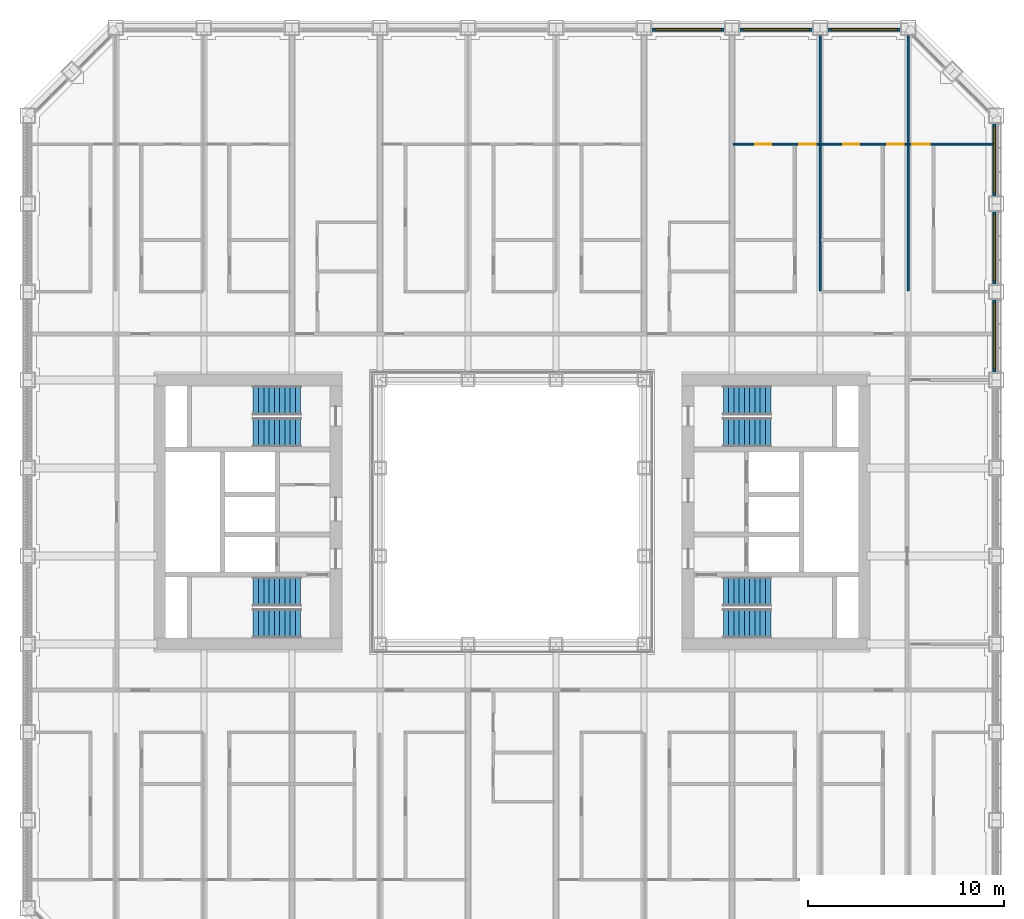
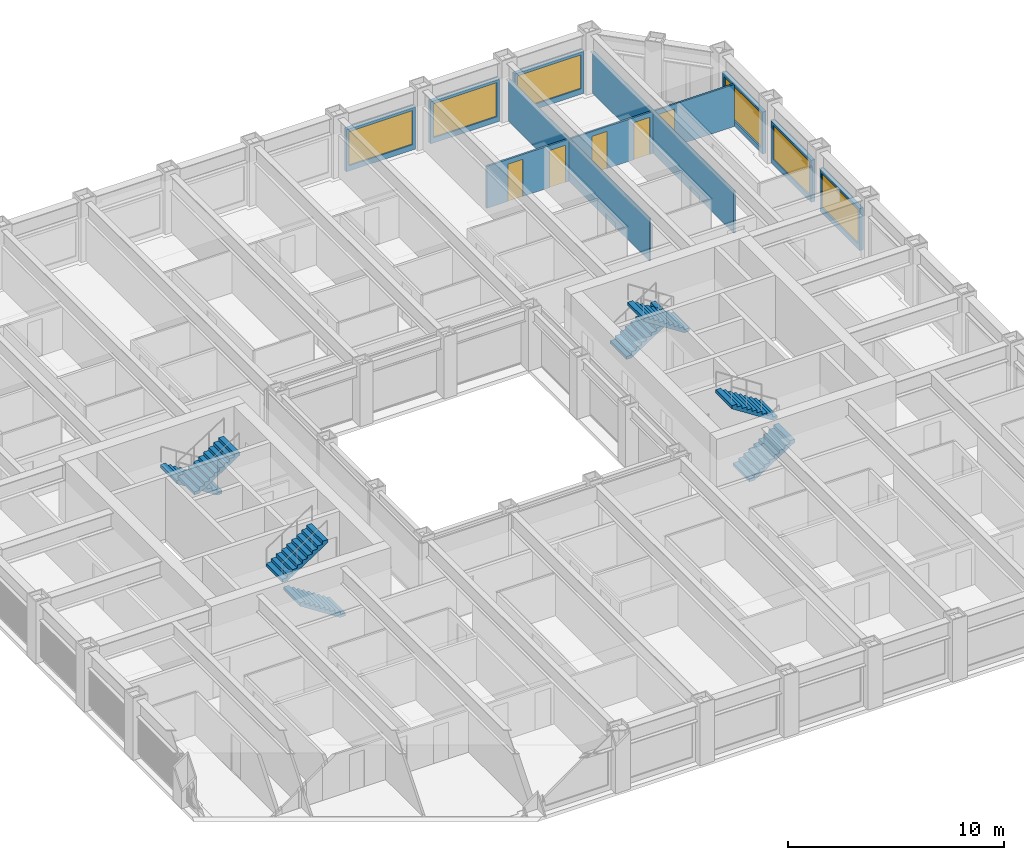
# One storey, part 15 of 20: 11 walls, 8 stair flights, 6 windows, 5 doors, 11 openings, 4 elements without a shape of their own.
"""IFC4 building model written with IfcOpenShell, lengths in metres."""

from ifc_helpers import new_model, si_unit, direction, frame, frame_2d, origin, place, context, subcontext, project, spatial, polyline, rectangle, outline, extrude, material, layer, layer_set, type_object, element, fill, aggregate, save


model = new_model("IFC4")

# Units and contexts
model_context = context("Model", 3, precision=1e-05, world=origin(), true_north=direction((0.0, 1.0)))
body_context = subcontext(model_context, "Body", "Model", "MODEL_VIEW")
ifc_project = project(units=[si_unit("LENGTHUNIT", "METRE"), si_unit("AREAUNIT", "SQUARE_METRE"), si_unit("VOLUMEUNIT", "CUBIC_METRE"), si_unit("PLANEANGLEUNIT", "RADIAN"), si_unit("MASSUNIT", "GRAM", prefix="KILO")], contexts=[model_context])

# Site, building, storey
site_placement = place(None, origin())
site = spatial("IfcSite", under=ifc_project, at=site_placement, CompositionType="ELEMENT")
building_placement = place(site_placement, origin())
building = spatial("IfcBuilding", under=site, at=building_placement, Name="Msasa Ring Tower", CompositionType="ELEMENT")
storey_placement = place(building_placement, frame((0.0, 0.0, 65.0)))
storey = spatial("IfcBuildingStorey", under=building, at=storey_placement, Name="L16", CompositionType="ELEMENT", Elevation=65.0)

# Wall, opening, window
ifc_material_1 = material(Name="Terracotta rainscreen on blockwork", Category="masonry")
ifc_layer_1 = layer(ifc_material_1, 0.199951171875)
ifc_layer_set_1 = layer_set([ifc_layer_1], Name="FW1 TERRACOTTA-LINED INFILL BAY WALL 200")
wall_type_1 = type_object("IfcWallType", Name="FW1 TERRACOTTA-LINED INFILL BAY WALL 200", PredefinedType="SOLIDWALL", material=ifc_layer_set_1)
wall_1_placement = place(storey_placement, frame((24.64990234375, 7.155029296875, 0.0), z_axis=(0.0, 0.0, 1.0), x_axis=(0.0, 1.0, 0.0)))
wall_1 = element("IfcWall", 1, at=wall_1_placement, inside=storey, type_object=wall_type_1, Name="Infill bay wall E L16 17", PredefinedType="SOLIDWALL", context=body_context, shape_type="SweptSolid", body=[
    extrude(rectangle(XDim=3.68994140625, YDim=0.199951171875, at=frame_2d((1.844970703125, 0.0))), origin(), (0.0, 0.0, 1.0), 2.37890625),
])
opening_1_placement = place(wall_1_placement, frame((0.14501953125, 0.0, 0.300048828125)))
opening_1 = element("IfcOpeningElement", 2, at=opening_1_placement, cuts=wall_1, Name="Opening WN1", PredefinedType="OPENING", context=body_context, shape_type="SweptSolid", body=[
    extrude(rectangle(XDim=3.39990234375, YDim=1.928955078125, at=frame_2d((1.699951171875, 0.96435546875))), frame((0.0, 0.10986328125, 0.0), z_axis=(0.0, -1.0, 0.0), x_axis=(1.0, 0.0, 0.0)), (0.0, 0.0, 1.0), 0.219970703125),
])
ifc_material_2 = material(Name="Aluminium frame with clear glass", Category="aluminium")
window_type = type_object("IfcWindowType", Name="WN1 RESIDENCE WINDOW 3400x1929", PartitioningType="SINGLE_PANEL", PredefinedType="WINDOW", material=ifc_material_2)
window_1_placement = place(opening_1_placement, origin())
window_1 = element("IfcWindow", 3, at=window_1_placement, inside=storey, type_object=window_type, Name="Window E L16 17", OverallHeight=1.928955078125, OverallWidth=3.39990234375, PartitioningType="SINGLE_PANEL", PredefinedType="WINDOW", context=body_context, shape_type="SweptSolid", body=[
    extrude(rectangle(XDim=3.39990234375, YDim=1.928955078125, at=frame_2d((1.699951171875, 0.96435546875))), frame((0.0, 0.030029296875, 0.0), z_axis=(0.0, -1.0, 0.0), x_axis=(1.0, 0.0, 0.0)), (0.0, 0.0, 1.0), 0.06005859375),
])
fill(opening_1, window_1)

wall_2_placement = place(storey_placement, frame((24.64990234375, 11.655029296875, 0.0), z_axis=(0.0, 0.0, 1.0), x_axis=(0.0, 1.0, 0.0)))
wall_2 = element("IfcWall", 4, at=wall_2_placement, inside=storey, type_object=wall_type_1, Name="Infill bay wall E L16 18", PredefinedType="SOLIDWALL", context=body_context, shape_type="SweptSolid", body=[
    extrude(rectangle(XDim=3.68994140625, YDim=0.199951171875, at=frame_2d((1.844970703125, 0.0))), origin(), (0.0, 0.0, 1.0), 2.37890625),
])
opening_2_placement = place(wall_2_placement, frame((0.14501953125, 0.0, 0.300048828125)))
opening_2 = element("IfcOpeningElement", 5, at=opening_2_placement, cuts=wall_2, Name="Opening WN1", PredefinedType="OPENING", context=body_context, shape_type="SweptSolid", body=[
    extrude(rectangle(XDim=3.39990234375, YDim=1.928955078125, at=frame_2d((1.699951171875, 0.96435546875))), frame((0.0, 0.10986328125, 0.0), z_axis=(0.0, -1.0, 0.0), x_axis=(1.0, 0.0, 0.0)), (0.0, 0.0, 1.0), 0.219970703125),
])
window_2_placement = place(opening_2_placement, origin())
window_2 = element("IfcWindow", 6, at=window_2_placement, inside=storey, type_object=window_type, Name="Window E L16 18", OverallHeight=1.928955078125, OverallWidth=3.39990234375, PartitioningType="SINGLE_PANEL", PredefinedType="WINDOW", context=body_context, shape_type="SweptSolid", body=[
    extrude(rectangle(XDim=3.39990234375, YDim=1.928955078125, at=frame_2d((1.699951171875, 0.96435546875))), frame((0.0, 0.030029296875, 0.0), z_axis=(0.0, -1.0, 0.0), x_axis=(1.0, 0.0, 0.0)), (0.0, 0.0, 1.0), 0.06005859375),
])
fill(opening_2, window_2)

wall_3_placement = place(storey_placement, frame((24.64990234375, 16.155029296875, 0.0), z_axis=(0.0, 0.0, 1.0), x_axis=(0.0, 1.0, 0.0)))
wall_3 = element("IfcWall", 7, at=wall_3_placement, inside=storey, type_object=wall_type_1, Name="Infill bay wall E L16 19", PredefinedType="SOLIDWALL", context=body_context, shape_type="SweptSolid", body=[
    extrude(rectangle(XDim=3.68994140625, YDim=0.199951171875, at=frame_2d((1.844970703125, 0.0))), origin(), (0.0, 0.0, 1.0), 2.37890625),
])
opening_3_placement = place(wall_3_placement, frame((0.14501953125, 0.0, 0.300048828125)))
opening_3 = element("IfcOpeningElement", 8, at=opening_3_placement, cuts=wall_3, Name="Opening WN1", PredefinedType="OPENING", context=body_context, shape_type="SweptSolid", body=[
    extrude(rectangle(XDim=3.39990234375, YDim=1.928955078125, at=frame_2d((1.699951171875, 0.96435546875))), frame((0.0, 0.10986328125, 0.0), z_axis=(0.0, -1.0, 0.0), x_axis=(1.0, 0.0, 0.0)), (0.0, 0.0, 1.0), 0.219970703125),
])
window_3_placement = place(opening_3_placement, origin())
window_3 = element("IfcWindow", 9, at=window_3_placement, inside=storey, type_object=window_type, Name="Window E L16 19", OverallHeight=1.928955078125, OverallWidth=3.39990234375, PartitioningType="SINGLE_PANEL", PredefinedType="WINDOW", context=body_context, shape_type="SweptSolid", body=[
    extrude(rectangle(XDim=3.39990234375, YDim=1.928955078125, at=frame_2d((1.699951171875, 0.96435546875))), frame((0.0, 0.030029296875, 0.0), z_axis=(0.0, -1.0, 0.0), x_axis=(1.0, 0.0, 0.0)), (0.0, 0.0, 1.0), 0.06005859375),
])
fill(opening_3, window_3)

wall_4_placement = place(storey_placement, frame((7.155029296875, 24.64990234375, 0.0), z_axis=(0.0, 0.0, 1.0), x_axis=(1.0, 0.0, 0.0)))
wall_4 = element("IfcWall", 10, at=wall_4_placement, inside=storey, type_object=wall_type_1, Name="Infill bay wall N L16 28", PredefinedType="SOLIDWALL", context=body_context, shape_type="SweptSolid", body=[
    extrude(rectangle(XDim=3.68994140625, YDim=0.199951171875, at=frame_2d((1.844970703125, 0.0))), origin(), (0.0, 0.0, 1.0), 2.37890625),
])
opening_4_placement = place(wall_4_placement, frame((0.14501953125, 0.0, 0.300048828125)))
opening_4 = element("IfcOpeningElement", 11, at=opening_4_placement, cuts=wall_4, Name="Opening WN1", PredefinedType="OPENING", context=body_context, shape_type="SweptSolid", body=[
    extrude(rectangle(XDim=3.39990234375, YDim=1.928955078125, at=frame_2d((1.699951171875, 0.96435546875))), frame((0.0, 0.10986328125, 0.0), z_axis=(0.0, -1.0, 0.0), x_axis=(1.0, 0.0, 0.0)), (0.0, 0.0, 1.0), 0.219970703125),
])
window_4_placement = place(opening_4_placement, origin())
window_4 = element("IfcWindow", 12, at=window_4_placement, inside=storey, type_object=window_type, Name="Window N L16 28", OverallHeight=1.928955078125, OverallWidth=3.39990234375, PartitioningType="SINGLE_PANEL", PredefinedType="WINDOW", context=body_context, shape_type="SweptSolid", body=[
    extrude(rectangle(XDim=3.39990234375, YDim=1.928955078125, at=frame_2d((1.699951171875, 0.96435546875))), frame((0.0, 0.030029296875, 0.0), z_axis=(0.0, -1.0, 0.0), x_axis=(1.0, 0.0, 0.0)), (0.0, 0.0, 1.0), 0.06005859375),
])
fill(opening_4, window_4)

wall_5_placement = place(storey_placement, frame((11.655029296875, 24.64990234375, 0.0), z_axis=(0.0, 0.0, 1.0), x_axis=(1.0, 0.0, 0.0)))
wall_5 = element("IfcWall", 13, at=wall_5_placement, inside=storey, type_object=wall_type_1, Name="Infill bay wall N L16 29", PredefinedType="SOLIDWALL", context=body_context, shape_type="SweptSolid", body=[
    extrude(rectangle(XDim=3.68994140625, YDim=0.199951171875, at=frame_2d((1.844970703125, 0.0))), origin(), (0.0, 0.0, 1.0), 2.37890625),
])
opening_5_placement = place(wall_5_placement, frame((0.14501953125, 0.0, 0.300048828125)))
opening_5 = element("IfcOpeningElement", 14, at=opening_5_placement, cuts=wall_5, Name="Opening WN1", PredefinedType="OPENING", context=body_context, shape_type="SweptSolid", body=[
    extrude(rectangle(XDim=3.39990234375, YDim=1.928955078125, at=frame_2d((1.699951171875, 0.96435546875))), frame((0.0, 0.10986328125, 0.0), z_axis=(0.0, -1.0, 0.0), x_axis=(1.0, 0.0, 0.0)), (0.0, 0.0, 1.0), 0.219970703125),
])
window_5_placement = place(opening_5_placement, origin())
window_5 = element("IfcWindow", 15, at=window_5_placement, inside=storey, type_object=window_type, Name="Window N L16 29", OverallHeight=1.928955078125, OverallWidth=3.39990234375, PartitioningType="SINGLE_PANEL", PredefinedType="WINDOW", context=body_context, shape_type="SweptSolid", body=[
    extrude(rectangle(XDim=3.39990234375, YDim=1.928955078125, at=frame_2d((1.699951171875, 0.96435546875))), frame((0.0, 0.030029296875, 0.0), z_axis=(0.0, -1.0, 0.0), x_axis=(1.0, 0.0, 0.0)), (0.0, 0.0, 1.0), 0.06005859375),
])
fill(opening_5, window_5)

wall_6_placement = place(storey_placement, frame((16.155029296875, 24.64990234375, 0.0), z_axis=(0.0, 0.0, 1.0), x_axis=(1.0, 0.0, 0.0)))
wall_6 = element("IfcWall", 16, at=wall_6_placement, inside=storey, type_object=wall_type_1, Name="Infill bay wall N L16 30", PredefinedType="SOLIDWALL", context=body_context, shape_type="SweptSolid", body=[
    extrude(rectangle(XDim=3.68994140625, YDim=0.199951171875, at=frame_2d((1.844970703125, 0.0))), origin(), (0.0, 0.0, 1.0), 2.37890625),
])
opening_6_placement = place(wall_6_placement, frame((0.14501953125, 0.0, 0.300048828125)))
opening_6 = element("IfcOpeningElement", 17, at=opening_6_placement, cuts=wall_6, Name="Opening WN1", PredefinedType="OPENING", context=body_context, shape_type="SweptSolid", body=[
    extrude(rectangle(XDim=3.39990234375, YDim=1.928955078125, at=frame_2d((1.699951171875, 0.96435546875))), frame((0.0, 0.10986328125, 0.0), z_axis=(0.0, -1.0, 0.0), x_axis=(1.0, 0.0, 0.0)), (0.0, 0.0, 1.0), 0.219970703125),
])
window_6_placement = place(opening_6_placement, origin())
window_6 = element("IfcWindow", 18, at=window_6_placement, inside=storey, type_object=window_type, Name="Window N L16 30", OverallHeight=1.928955078125, OverallWidth=3.39990234375, PartitioningType="SINGLE_PANEL", PredefinedType="WINDOW", context=body_context, shape_type="SweptSolid", body=[
    extrude(rectangle(XDim=3.39990234375, YDim=1.928955078125, at=frame_2d((1.699951171875, 0.96435546875))), frame((0.0, 0.030029296875, 0.0), z_axis=(0.0, -1.0, 0.0), x_axis=(1.0, 0.0, 0.0)), (0.0, 0.0, 1.0), 0.06005859375),
])
fill(opening_6, window_6)

# Wall, opening, door
ifc_material_3 = material(Name="Gypsum board on steel studs", Category="steel")
ifc_layer_2 = layer(ifc_material_3, 0.10009765625)
ifc_layer_set_2 = layer_set([ifc_layer_2], Name="PT2 STUD PARTITION 100")
wall_type_2 = type_object("IfcWallType", Name="PT2 STUD PARTITION 100", PredefinedType="PARTITIONING", material=ifc_layer_set_2)
wall_7_placement = place(storey_placement, frame((20.300048828125, 18.800048828125, 0.0), z_axis=(0.0, 0.0, 1.0), x_axis=(1.0, 0.0, 0.0)))
wall_7 = element("IfcWall", 19, at=wall_7_placement, inside=storey, type_object=wall_type_2, Name="Partition L16-UN04SY0", PredefinedType="PARTITIONING", context=body_context, shape_type="SweptSolid", body=[
    extrude(rectangle(XDim=4.25, YDim=0.10009765625, at=frame_2d((2.125, 0.0))), origin(), (0.0, 0.0, 1.0), 2.373291015625),
])
opening_7_placement = place(wall_7_placement, frame((0.14990234375, 0.0, 0.0)))
opening_7 = element("IfcOpeningElement", 20, at=opening_7_placement, cuts=wall_7, Name="Opening RD-015", PredefinedType="OPENING", context=body_context, shape_type="SweptSolid", body=[
    extrude(rectangle(XDim=0.89990234375, YDim=2.10009765625, at=frame_2d((0.449951171875, 1.050048828125))), frame((0.0, 0.06005859375, 0.0), z_axis=(0.0, -1.0, 0.0), x_axis=(1.0, 0.0, 0.0)), (0.0, 0.0, 1.0), 0.1201171875),
])
ifc_material_4 = material(Name="Timber door leaf in a steel frame", Category="steel")
door_type_1 = type_object("IfcDoorType", Name="D22 INTERNAL HALL DOOR 900x2100", OperationType="SINGLE_SWING_LEFT", PredefinedType="DOOR", material=ifc_material_4)
door_1_placement = place(opening_7_placement, origin())
door_1 = element("IfcDoor", 21, at=door_1_placement, inside=storey, type_object=door_type_1, Name="Door L16-UN04L", OperationType="SINGLE_SWING_LEFT", OverallHeight=2.10009765625, OverallWidth=0.89990234375, PredefinedType="DOOR", context=body_context, shape_type="SweptSolid", body=[
    extrude(rectangle(XDim=0.89990234375, YDim=2.10009765625, at=frame_2d((0.449951171875, 1.050048828125))), frame((0.0, 0.02490234375, 0.0), z_axis=(0.0, -1.0, 0.0), x_axis=(1.0, 0.0, 0.0)), (0.0, 0.0, 1.0), 0.050048828125),
])
fill(opening_7, door_1)

# Wall
wall_8_placement = place(storey_placement, frame((20.25, 11.300048828125, 0.0), z_axis=(0.0, 0.0, 1.0), x_axis=(0.0, 1.0, 0.0)))
element("IfcWall", 22, at=wall_8_placement, inside=storey, type_object=wall_type_2, Name="Partition L16-UN04P1", PredefinedType="PARTITIONING", context=body_context, shape_type="SweptSolid", body=[
    extrude(rectangle(XDim=13.050048828125, YDim=0.10009765625, at=frame_2d((6.52490234375, 0.0))), origin(), (0.0, 0.0, 1.0), 2.373291015625),
])

# Wall, openings, doors
wall_9_placement = place(storey_placement, frame((15.800048828125, 18.800048828125, 0.0), z_axis=(0.0, 0.0, 1.0), x_axis=(1.0, 0.0, 0.0)))
wall_9 = element("IfcWall", 23, at=wall_9_placement, inside=storey, type_object=wall_type_2, Name="Partition L16-UN04SY1", PredefinedType="PARTITIONING", context=body_context, shape_type="SweptSolid", body=[
    extrude(rectangle(XDim=4.39990234375, YDim=0.10009765625, at=frame_2d((2.199951171875, 0.0))), origin(), (0.0, 0.0, 1.0), 2.373291015625),
])
opening_8_placement = place(wall_9_placement, frame((3.375, 0.0, 0.0)))
opening_8 = element("IfcOpeningElement", 24, at=opening_8_placement, cuts=wall_9, Name="Opening RD-014", PredefinedType="OPENING", context=body_context, shape_type="SweptSolid", body=[
    extrude(rectangle(XDim=0.85009765625, YDim=2.10009765625, at=frame_2d((0.425048828125, 1.050048828125))), frame((0.0, 0.06005859375, 0.0), z_axis=(0.0, -1.0, 0.0), x_axis=(1.0, 0.0, 0.0)), (0.0, 0.0, 1.0), 0.1201171875),
])
opening_9_placement = place(wall_9_placement, frame((1.139892578125, 0.0, 0.0)))
opening_9 = element("IfcOpeningElement", 25, at=opening_9_placement, cuts=wall_9, Name="Opening RD-013", PredefinedType="OPENING", context=body_context, shape_type="SweptSolid", body=[
    extrude(rectangle(XDim=0.800048828125, YDim=2.10009765625, at=frame_2d((0.39990234375, 1.050048828125))), frame((0.0, 0.06005859375, 0.0), z_axis=(0.0, -1.0, 0.0), x_axis=(1.0, 0.0, 0.0)), (0.0, 0.0, 1.0), 0.1201171875),
])
ifc_material_5 = material(Name="Timber door leaf in a steel frame", Category="steel")
door_type_2 = type_object("IfcDoorType", Name="D14 BEDROOM DOOR 850x2100", OperationType="SINGLE_SWING_LEFT", PredefinedType="DOOR", material=ifc_material_5)
door_2_placement = place(opening_8_placement, origin())
door_2 = element("IfcDoor", 26, at=door_2_placement, inside=storey, type_object=door_type_2, Name="Door L16-UN04R1", OperationType="SINGLE_SWING_RIGHT", OverallHeight=2.10009765625, OverallWidth=0.85009765625, PredefinedType="DOOR", context=body_context, shape_type="SweptSolid", body=[
    extrude(rectangle(XDim=0.85009765625, YDim=2.10009765625, at=frame_2d((0.425048828125, 1.050048828125))), frame((0.0, 0.02490234375, 0.0), z_axis=(0.0, -1.0, 0.0), x_axis=(1.0, 0.0, 0.0)), (0.0, 0.0, 1.0), 0.050048828125),
])
fill(opening_8, door_2)
ifc_material_6 = material(Name="Timber door leaf in a steel frame", Category="steel")
door_type_3 = type_object("IfcDoorType", Name="D60 DRESSING ROOM DOOR 800x2100", OperationType="SINGLE_SWING_LEFT", PredefinedType="DOOR", material=ifc_material_6)
door_3_placement = place(opening_9_placement, origin())
door_3 = element("IfcDoor", 27, at=door_3_placement, inside=storey, type_object=door_type_3, Name="Door L16-UN04W1", OperationType="SINGLE_SWING_LEFT", OverallHeight=2.10009765625, OverallWidth=0.800048828125, PredefinedType="DOOR", context=body_context, shape_type="SweptSolid", body=[
    extrude(rectangle(XDim=0.800048828125, YDim=2.10009765625, at=frame_2d((0.39990234375, 1.050048828125))), frame((0.0, 0.02490234375, 0.0), z_axis=(0.0, -1.0, 0.0), x_axis=(1.0, 0.0, 0.0)), (0.0, 0.0, 1.0), 0.050048828125),
])
fill(opening_9, door_3)

# Wall
wall_10_placement = place(storey_placement, frame((15.75, 11.300048828125, 0.0), z_axis=(0.0, 0.0, 1.0), x_axis=(0.0, 1.0, 0.0)))
element("IfcWall", 28, at=wall_10_placement, inside=storey, type_object=wall_type_2, Name="Partition L16-UN04P2", PredefinedType="PARTITIONING", context=body_context, shape_type="SweptSolid", body=[
    extrude(rectangle(XDim=13.050048828125, YDim=0.10009765625, at=frame_2d((6.52490234375, 0.0))), origin(), (0.0, 0.0, 1.0), 2.373291015625),
])

# Wall, openings, doors
wall_11_placement = place(storey_placement, frame((11.31005859375, 18.800048828125, 0.0), z_axis=(0.0, 0.0, 1.0), x_axis=(1.0, 0.0, 0.0)))
wall_11 = element("IfcWall", 29, at=wall_11_placement, inside=storey, type_object=wall_type_2, Name="Partition L16-UN04SY2", PredefinedType="PARTITIONING", context=body_context, shape_type="SweptSolid", body=[
    extrude(rectangle(XDim=4.389892578125, YDim=0.10009765625, at=frame_2d((2.19482421875, 0.0))), origin(), (0.0, 0.0, 1.0), 2.373291015625),
])
opening_10_placement = place(wall_11_placement, frame((3.364990234375, 0.0, 0.0)))
opening_10 = element("IfcOpeningElement", 30, at=opening_10_placement, cuts=wall_11, Name="Opening RD-012", PredefinedType="OPENING", context=body_context, shape_type="SweptSolid", body=[
    extrude(rectangle(XDim=0.85009765625, YDim=2.10009765625, at=frame_2d((0.425048828125, 1.050048828125))), frame((0.0, 0.06005859375, 0.0), z_axis=(0.0, -1.0, 0.0), x_axis=(1.0, 0.0, 0.0)), (0.0, 0.0, 1.0), 0.1201171875),
])
opening_11_placement = place(wall_11_placement, frame((1.1298828125, 0.0, 0.0)))
opening_11 = element("IfcOpeningElement", 31, at=opening_11_placement, cuts=wall_11, Name="Opening RD-011", PredefinedType="OPENING", context=body_context, shape_type="SweptSolid", body=[
    extrude(rectangle(XDim=0.800048828125, YDim=2.10009765625, at=frame_2d((0.39990234375, 1.050048828125))), frame((0.0, 0.06005859375, 0.0), z_axis=(0.0, -1.0, 0.0), x_axis=(1.0, 0.0, 0.0)), (0.0, 0.0, 1.0), 0.1201171875),
])
door_4_placement = place(opening_10_placement, origin())
door_4 = element("IfcDoor", 32, at=door_4_placement, inside=storey, type_object=door_type_2, Name="Door L16-UN04R2", OperationType="SINGLE_SWING_RIGHT", OverallHeight=2.10009765625, OverallWidth=0.85009765625, PredefinedType="DOOR", context=body_context, shape_type="SweptSolid", body=[
    extrude(rectangle(XDim=0.85009765625, YDim=2.10009765625, at=frame_2d((0.425048828125, 1.050048828125))), frame((0.0, 0.02490234375, 0.0), z_axis=(0.0, -1.0, 0.0), x_axis=(1.0, 0.0, 0.0)), (0.0, 0.0, 1.0), 0.050048828125),
])
fill(opening_10, door_4)
door_5_placement = place(opening_11_placement, origin())
door_5 = element("IfcDoor", 33, at=door_5_placement, inside=storey, type_object=door_type_3, Name="Door L16-UN04W2", OperationType="SINGLE_SWING_LEFT", OverallHeight=2.10009765625, OverallWidth=0.800048828125, PredefinedType="DOOR", context=body_context, shape_type="SweptSolid", body=[
    extrude(rectangle(XDim=0.800048828125, YDim=2.10009765625, at=frame_2d((0.39990234375, 1.050048828125))), frame((0.0, 0.02490234375, 0.0), z_axis=(0.0, -1.0, 0.0), x_axis=(1.0, 0.0, 0.0)), (0.0, 0.0, 1.0), 0.050048828125),
])
fill(opening_11, door_5)

# Stair, stair flights
ifc_material_7 = material(Name="Concrete C40/50", Category="concrete")
stair_type = type_object("IfcStairType", Name="STC CORE STAIR 20 RISERS 175", PredefinedType="HALF_TURN_STAIR", material=ifc_material_7)
stair_1_placement = place(storey_placement, origin())
stair_1 = element("IfcStair", 34, at=stair_1_placement, inside=storey, type_object=stair_type, Name="Core stair SEA L16", PredefinedType="HALF_TURN_STAIR")
ifc_material_8 = material(Name="Concrete C40/50", Category="concrete")
stair_flight_type = type_object("IfcStairFlightType", Name="ST12 CORE STAIR FLIGHT 1500 10 RISERS 175", PredefinedType="STRAIGHT", material=ifc_material_8)
stair_flight_1_placement = place(storey_placement, frame((10.800048828125, -5.699951171875, 0.0), z_axis=(0.0, 0.0, 1.0), x_axis=(1.0, 0.0, 0.0)))
stair_flight_1 = element("IfcStairFlight", 35, at=stair_flight_1_placement, type_object=stair_flight_type, Name="SEA flight 1", NumberOfRisers=10, NumberOfTreads=9, PredefinedType="STRAIGHT", RiserHeight=0.175, TreadLength=0.27, context=body_context, shape_type="SweptSolid", body=[
    extrude(outline(polyline([(0.0, 0.0), (0.0, 0.175048828125), (0.27001953125, 0.175048828125), (0.27001953125, 0.35009765625), (0.5400390625, 0.35009765625), (0.5400390625, 0.52490234375), (0.81005859375, 0.52490234375), (0.81005859375, 0.699951171875), (1.080078125, 0.699951171875), (1.080078125, 0.875), (1.35009765625, 0.875), (1.35009765625, 1.050048828125), (1.6201171875, 1.050048828125), (1.6201171875, 1.22509765625), (1.889892578125, 1.22509765625), (1.889892578125, 1.39990234375), (2.159912109375, 1.39990234375), (2.159912109375, 1.574951171875), (2.429931640625, 1.574951171875), (2.429931640625, 1.75), (2.429931640625, 1.396484375), (0.275634765625, 0.0), (0.0, 0.0)])), frame((0.0, 0.75, 0.0), z_axis=(0.0, -1.0, 0.0), x_axis=(1.0, 0.0, 0.0)), (0.0, 0.0, 1.0), 1.5),
])
stair_flight_2_placement = place(storey_placement, frame((13.22998046875, -4.074951171875, 1.75), z_axis=(0.0, 0.0, 1.0), x_axis=(-1.0, 0.0, 0.0)))
stair_flight_2 = element("IfcStairFlight", 36, at=stair_flight_2_placement, type_object=stair_flight_type, Name="SEA flight 2", NumberOfRisers=10, NumberOfTreads=9, PredefinedType="STRAIGHT", RiserHeight=0.175, TreadLength=0.27, context=body_context, shape_type="SweptSolid", body=[
    extrude(outline(polyline([(0.0, 0.0), (0.0, 0.175048828125), (0.27001953125, 0.175048828125), (0.27001953125, 0.35009765625), (0.5400390625, 0.35009765625), (0.5400390625, 0.52490234375), (0.81005859375, 0.52490234375), (0.81005859375, 0.699951171875), (1.080078125, 0.699951171875), (1.080078125, 0.875), (1.35009765625, 0.875), (1.35009765625, 1.050048828125), (1.6201171875, 1.050048828125), (1.6201171875, 1.22509765625), (1.889892578125, 1.22509765625), (1.889892578125, 1.39990234375), (2.159912109375, 1.39990234375), (2.159912109375, 1.574951171875), (2.429931640625, 1.574951171875), (2.429931640625, 1.75), (2.429931640625, 1.396484375), (0.275634765625, 0.0), (0.0, 0.0)])), frame((0.0, 0.75, 0.0), z_axis=(0.0, -1.0, 0.0), x_axis=(1.0, 0.0, 0.0)), (0.0, 0.0, 1.0), 1.5),
])
aggregate(stair_1, [stair_flight_1, stair_flight_2])

stair_2_placement = place(storey_placement, origin())
stair_2 = element("IfcStair", 37, at=stair_2_placement, inside=storey, type_object=stair_type, Name="Core stair SEB L16", PredefinedType="HALF_TURN_STAIR")
stair_flight_3_placement = place(storey_placement, frame((10.800048828125, 5.699951171875, 0.0), z_axis=(0.0, 0.0, 1.0), x_axis=(1.0, 0.0, 0.0)))
stair_flight_3 = element("IfcStairFlight", 38, at=stair_flight_3_placement, type_object=stair_flight_type, Name="SEB flight 1", NumberOfRisers=10, NumberOfTreads=9, PredefinedType="STRAIGHT", RiserHeight=0.175, TreadLength=0.27, context=body_context, shape_type="SweptSolid", body=[
    extrude(outline(polyline([(0.0, 0.0), (0.0, 0.175048828125), (0.27001953125, 0.175048828125), (0.27001953125, 0.35009765625), (0.5400390625, 0.35009765625), (0.5400390625, 0.52490234375), (0.81005859375, 0.52490234375), (0.81005859375, 0.699951171875), (1.080078125, 0.699951171875), (1.080078125, 0.875), (1.35009765625, 0.875), (1.35009765625, 1.050048828125), (1.6201171875, 1.050048828125), (1.6201171875, 1.22509765625), (1.889892578125, 1.22509765625), (1.889892578125, 1.39990234375), (2.159912109375, 1.39990234375), (2.159912109375, 1.574951171875), (2.429931640625, 1.574951171875), (2.429931640625, 1.75), (2.429931640625, 1.396484375), (0.275634765625, 0.0), (0.0, 0.0)])), frame((0.0, 0.75, 0.0), z_axis=(0.0, -1.0, 0.0), x_axis=(1.0, 0.0, 0.0)), (0.0, 0.0, 1.0), 1.5),
])
stair_flight_4_placement = place(storey_placement, frame((13.22998046875, 4.074951171875, 1.75), z_axis=(0.0, 0.0, 1.0), x_axis=(-1.0, 0.0, 0.0)))
stair_flight_4 = element("IfcStairFlight", 39, at=stair_flight_4_placement, type_object=stair_flight_type, Name="SEB flight 2", NumberOfRisers=10, NumberOfTreads=9, PredefinedType="STRAIGHT", RiserHeight=0.175, TreadLength=0.27, context=body_context, shape_type="SweptSolid", body=[
    extrude(outline(polyline([(0.0, 0.0), (0.0, 0.175048828125), (0.27001953125, 0.175048828125), (0.27001953125, 0.35009765625), (0.5400390625, 0.35009765625), (0.5400390625, 0.52490234375), (0.81005859375, 0.52490234375), (0.81005859375, 0.699951171875), (1.080078125, 0.699951171875), (1.080078125, 0.875), (1.35009765625, 0.875), (1.35009765625, 1.050048828125), (1.6201171875, 1.050048828125), (1.6201171875, 1.22509765625), (1.889892578125, 1.22509765625), (1.889892578125, 1.39990234375), (2.159912109375, 1.39990234375), (2.159912109375, 1.574951171875), (2.429931640625, 1.574951171875), (2.429931640625, 1.75), (2.429931640625, 1.396484375), (0.275634765625, 0.0), (0.0, 0.0)])), frame((0.0, 0.75, 0.0), z_axis=(0.0, -1.0, 0.0), x_axis=(1.0, 0.0, 0.0)), (0.0, 0.0, 1.0), 1.5),
])
aggregate(stair_2, [stair_flight_3, stair_flight_4])

stair_3_placement = place(storey_placement, origin())
stair_3 = element("IfcStair", 40, at=stair_3_placement, inside=storey, type_object=stair_type, Name="Core stair SWA L16", PredefinedType="HALF_TURN_STAIR")
stair_flight_5_placement = place(storey_placement, frame((-10.800048828125, -5.699951171875, 0.0), z_axis=(0.0, 0.0, 1.0), x_axis=(-1.0, 0.0, 0.0)))
stair_flight_5 = element("IfcStairFlight", 41, at=stair_flight_5_placement, type_object=stair_flight_type, Name="SWA flight 1", NumberOfRisers=10, NumberOfTreads=9, PredefinedType="STRAIGHT", RiserHeight=0.175, TreadLength=0.27, context=body_context, shape_type="SweptSolid", body=[
    extrude(outline(polyline([(0.0, 0.0), (0.0, 0.175048828125), (0.27001953125, 0.175048828125), (0.27001953125, 0.35009765625), (0.5400390625, 0.35009765625), (0.5400390625, 0.52490234375), (0.81005859375, 0.52490234375), (0.81005859375, 0.699951171875), (1.080078125, 0.699951171875), (1.080078125, 0.875), (1.35009765625, 0.875), (1.35009765625, 1.050048828125), (1.6201171875, 1.050048828125), (1.6201171875, 1.22509765625), (1.889892578125, 1.22509765625), (1.889892578125, 1.39990234375), (2.159912109375, 1.39990234375), (2.159912109375, 1.574951171875), (2.429931640625, 1.574951171875), (2.429931640625, 1.75), (2.429931640625, 1.396484375), (0.275634765625, 0.0), (0.0, 0.0)])), frame((0.0, 0.75, 0.0), z_axis=(0.0, -1.0, 0.0), x_axis=(1.0, 0.0, 0.0)), (0.0, 0.0, 1.0), 1.5),
])
stair_flight_6_placement = place(storey_placement, frame((-13.22998046875, -4.074951171875, 1.75), z_axis=(0.0, 0.0, 1.0), x_axis=(1.0, 0.0, 0.0)))
stair_flight_6 = element("IfcStairFlight", 42, at=stair_flight_6_placement, type_object=stair_flight_type, Name="SWA flight 2", NumberOfRisers=10, NumberOfTreads=9, PredefinedType="STRAIGHT", RiserHeight=0.175, TreadLength=0.27, context=body_context, shape_type="SweptSolid", body=[
    extrude(outline(polyline([(0.0, 0.0), (0.0, 0.175048828125), (0.27001953125, 0.175048828125), (0.27001953125, 0.35009765625), (0.5400390625, 0.35009765625), (0.5400390625, 0.52490234375), (0.81005859375, 0.52490234375), (0.81005859375, 0.699951171875), (1.080078125, 0.699951171875), (1.080078125, 0.875), (1.35009765625, 0.875), (1.35009765625, 1.050048828125), (1.6201171875, 1.050048828125), (1.6201171875, 1.22509765625), (1.889892578125, 1.22509765625), (1.889892578125, 1.39990234375), (2.159912109375, 1.39990234375), (2.159912109375, 1.574951171875), (2.429931640625, 1.574951171875), (2.429931640625, 1.75), (2.429931640625, 1.396484375), (0.275634765625, 0.0), (0.0, 0.0)])), frame((0.0, 0.75, 0.0), z_axis=(0.0, -1.0, 0.0), x_axis=(1.0, 0.0, 0.0)), (0.0, 0.0, 1.0), 1.5),
])
aggregate(stair_3, [stair_flight_5, stair_flight_6])

stair_4_placement = place(storey_placement, origin())
stair_4 = element("IfcStair", 43, at=stair_4_placement, inside=storey, type_object=stair_type, Name="Core stair SWB L16", PredefinedType="HALF_TURN_STAIR")
stair_flight_7_placement = place(storey_placement, frame((-10.800048828125, 5.699951171875, 0.0), z_axis=(0.0, 0.0, 1.0), x_axis=(-1.0, 0.0, 0.0)))
stair_flight_7 = element("IfcStairFlight", 44, at=stair_flight_7_placement, type_object=stair_flight_type, Name="SWB flight 1", NumberOfRisers=10, NumberOfTreads=9, PredefinedType="STRAIGHT", RiserHeight=0.175, TreadLength=0.27, context=body_context, shape_type="SweptSolid", body=[
    extrude(outline(polyline([(0.0, 0.0), (0.0, 0.175048828125), (0.27001953125, 0.175048828125), (0.27001953125, 0.35009765625), (0.5400390625, 0.35009765625), (0.5400390625, 0.52490234375), (0.81005859375, 0.52490234375), (0.81005859375, 0.699951171875), (1.080078125, 0.699951171875), (1.080078125, 0.875), (1.35009765625, 0.875), (1.35009765625, 1.050048828125), (1.6201171875, 1.050048828125), (1.6201171875, 1.22509765625), (1.889892578125, 1.22509765625), (1.889892578125, 1.39990234375), (2.159912109375, 1.39990234375), (2.159912109375, 1.574951171875), (2.429931640625, 1.574951171875), (2.429931640625, 1.75), (2.429931640625, 1.396484375), (0.275634765625, 0.0), (0.0, 0.0)])), frame((0.0, 0.75, 0.0), z_axis=(0.0, -1.0, 0.0), x_axis=(1.0, 0.0, 0.0)), (0.0, 0.0, 1.0), 1.5),
])
stair_flight_8_placement = place(storey_placement, frame((-13.22998046875, 4.074951171875, 1.75), z_axis=(0.0, 0.0, 1.0), x_axis=(1.0, 0.0, 0.0)))
stair_flight_8 = element("IfcStairFlight", 45, at=stair_flight_8_placement, type_object=stair_flight_type, Name="SWB flight 2", NumberOfRisers=10, NumberOfTreads=9, PredefinedType="STRAIGHT", RiserHeight=0.175, TreadLength=0.27, context=body_context, shape_type="SweptSolid", body=[
    extrude(outline(polyline([(0.0, 0.0), (0.0, 0.175048828125), (0.27001953125, 0.175048828125), (0.27001953125, 0.35009765625), (0.5400390625, 0.35009765625), (0.5400390625, 0.52490234375), (0.81005859375, 0.52490234375), (0.81005859375, 0.699951171875), (1.080078125, 0.699951171875), (1.080078125, 0.875), (1.35009765625, 0.875), (1.35009765625, 1.050048828125), (1.6201171875, 1.050048828125), (1.6201171875, 1.22509765625), (1.889892578125, 1.22509765625), (1.889892578125, 1.39990234375), (2.159912109375, 1.39990234375), (2.159912109375, 1.574951171875), (2.429931640625, 1.574951171875), (2.429931640625, 1.75), (2.429931640625, 1.396484375), (0.275634765625, 0.0), (0.0, 0.0)])), frame((0.0, 0.75, 0.0), z_axis=(0.0, -1.0, 0.0), x_axis=(1.0, 0.0, 0.0)), (0.0, 0.0, 1.0), 1.5),
])
aggregate(stair_4, [stair_flight_7, stair_flight_8])

save(model, "model.ifc")
